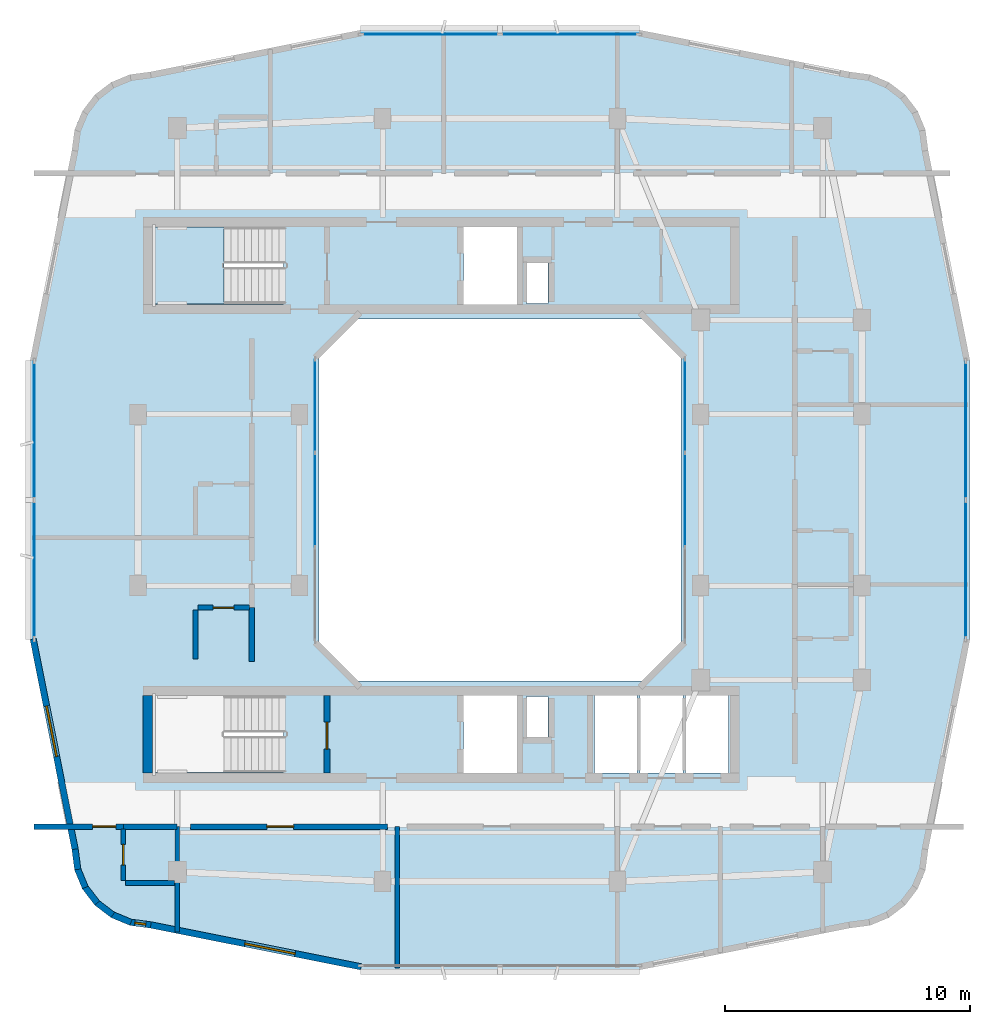
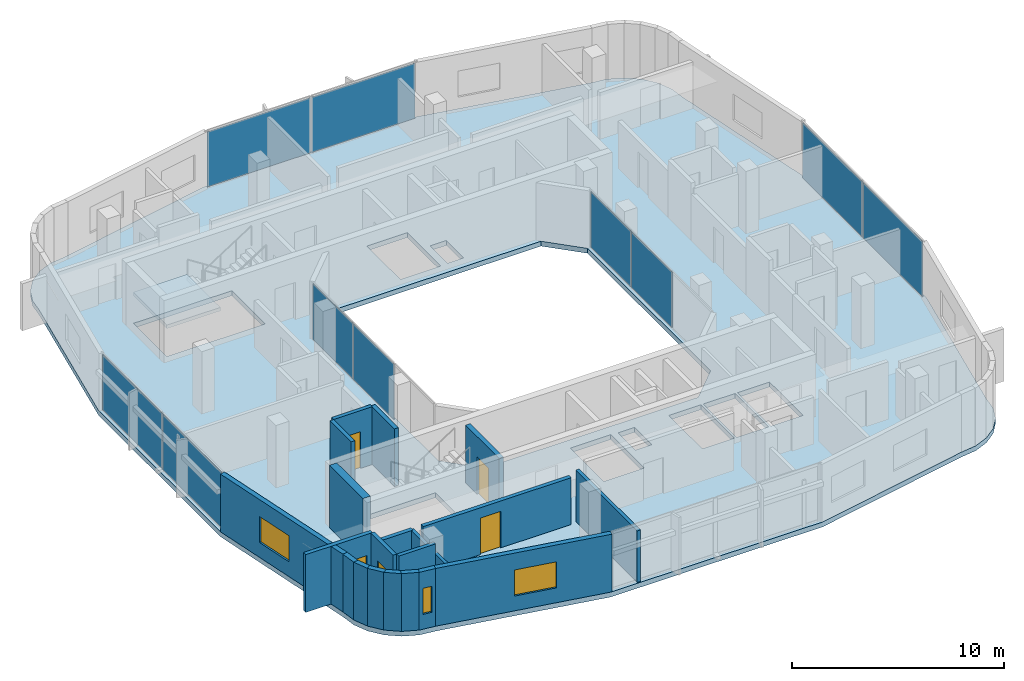
# One storey, part 6 of 14: 20 walls, 10 plates, 5 doors, 3 windows, 2 slabs, 8 openings, 6 elements without a shape of their own.
"""IFC4 building model written with IfcOpenShell, lengths in metres."""

from ifc_helpers import new_model, si_unit, derived_unit, direction, frame, frame_2d, origin, origin_2d, place, context, subcontext, project, spatial, polyline, rectangle, outline, extrude, material, layer, layer_set, type_object, element, fill, aggregate, save


model = new_model("IFC4")

# Units and contexts
model_context = context("Model", 3, precision=1e-05, world=origin(), true_north=direction((0.0, 1.0)))
body_context = subcontext(model_context, "Body", "Model", "MODEL_VIEW")
ifc_project = project(units=[si_unit("LENGTHUNIT", "METRE"), si_unit("AREAUNIT", "SQUARE_METRE"), si_unit("VOLUMEUNIT", "CUBIC_METRE"), si_unit("PLANEANGLEUNIT", "RADIAN"), si_unit("MASSUNIT", "GRAM", prefix="KILO"), derived_unit("THERMALTRANSMITTANCEUNIT", [(si_unit("POWERUNIT", "WATT"), 1), (si_unit("LENGTHUNIT", "METRE"), -2), (si_unit("THERMODYNAMICTEMPERATUREUNIT", "KELVIN"), -1)])], contexts=[model_context])

# Site, building, storey
site_placement = place(None, origin())
site = spatial("IfcSite", under=ifc_project, at=site_placement, CompositionType="ELEMENT")
building_placement = place(site_placement, origin())
building = spatial("IfcBuilding", under=site, at=building_placement, Name="Kivonza Crest Hotel", CompositionType="ELEMENT")
storey_placement = place(building_placement, frame((0.0, 0.0, 213.5)))
storey = spatial("IfcBuildingStorey", under=building, at=storey_placement, Name="L58", CompositionType="ELEMENT", Elevation=213.5)

# Curtain wall, plates
ifc_material_1 = material(Name="Anodised bronze aluminium and low-E double glazing", Category="aluminium")
ifc_layer_1 = layer(ifc_material_1, 0.159912109375)
ifc_layer_set_1 = layer_set([ifc_layer_1], Name="Anodised bronze aluminium and low-E double glazing")
curtain_wall_type_1 = type_object("IfcCurtainWallType", Name="CW-SYS-5", PredefinedType="NOTDEFINED", material=ifc_layer_set_1)
curtain_wall_1_placement = place(storey_placement, origin())
curtain_wall_1 = element("IfcCurtainWall", 1, at=curtain_wall_1_placement, inside=storey, type_object=curtain_wall_type_1, Name="L58 unitised curtain wall CW-WELL-T1-L58-3", PredefinedType="NOTDEFINED")
ifc_material_2 = material(Name="Solar-control low-E double glazing", Category="glass")
ifc_layer_2 = layer(ifc_material_2, 0.028076171875)
ifc_layer_set_2 = layer_set([ifc_layer_2], Name="Solar-control low-E double glazing")
plate_type_1 = type_object("IfcPlateType", Name="CW-PNL-28", PredefinedType="CURTAIN_PANEL", material=ifc_layer_set_2)
plate_1_placement = place(storey_placement, frame((28.56005859375, 25.0, 0.06494140625), z_axis=(0.0, 0.0, 1.0), x_axis=(0.0, 1.0, 0.0)))
plate_1 = element("IfcPlate", 2, at=plate_1_placement, type_object=plate_type_1, Name="CW-5 panel 2.1", PredefinedType="CURTAIN_PANEL", context=body_context, shape_type="SweptSolid", body=[
    extrude(rectangle(XDim=3.8017578125, YDim=0.028076171875, at=origin_2d()), origin(), (0.0, 0.0, 1.0), 3.18994140625),
])
plate_2_placement = place(storey_placement, frame((28.56005859375, 28.850341796875, 0.06494140625), z_axis=(0.0, 0.0, 1.0), x_axis=(0.0, 1.0, 0.0)))
plate_2 = element("IfcPlate", 3, at=plate_2_placement, type_object=plate_type_1, Name="CW-5 panel 3.1", PredefinedType="CURTAIN_PANEL", context=body_context, shape_type="SweptSolid", body=[
    extrude(rectangle(XDim=3.769287109375, YDim=0.028076171875, at=origin_2d()), origin(), (0.0, 0.0, 1.0), 3.18994140625),
])
aggregate(curtain_wall_1, [plate_1, plate_2])

curtain_wall_2_placement = place(storey_placement, origin())
curtain_wall_2 = element("IfcCurtainWall", 4, at=curtain_wall_2_placement, inside=storey, type_object=curtain_wall_type_1, Name="L58 unitised curtain wall CW-WELL-T1-L58-7", PredefinedType="NOTDEFINED")
plate_3_placement = place(storey_placement, frame((13.43994140625, 28.850341796875, 0.06494140625), z_axis=(0.0, 0.0, 1.0), x_axis=(0.0, -1.0, 0.0)))
plate_3 = element("IfcPlate", 5, at=plate_3_placement, type_object=plate_type_1, Name="CW-5 panel 1.1", PredefinedType="CURTAIN_PANEL", context=body_context, shape_type="SweptSolid", body=[
    extrude(rectangle(XDim=3.769287109375, YDim=0.028076171875, at=origin_2d()), origin(), (0.0, 0.0, 1.0), 3.18994140625),
])
plate_4_placement = place(storey_placement, frame((13.43994140625, 25.0, 0.06494140625), z_axis=(0.0, 0.0, 1.0), x_axis=(0.0, -1.0, 0.0)))
plate_4 = element("IfcPlate", 6, at=plate_4_placement, type_object=plate_type_1, Name="CW-5 panel 2.1", PredefinedType="CURTAIN_PANEL", context=body_context, shape_type="SweptSolid", body=[
    extrude(rectangle(XDim=3.8017578125, YDim=0.028076171875, at=origin_2d()), origin(), (0.0, 0.0, 1.0), 3.18994140625),
])
aggregate(curtain_wall_2, [plate_3, plate_4])

ifc_layer_3 = layer(ifc_material_1, 0.179931640625)
ifc_layer_set_3 = layer_set([ifc_layer_3], Name="Anodised bronze aluminium and low-E double glazing")
curtain_wall_type_2 = type_object("IfcCurtainWallType", Name="CW-SYS-3", PredefinedType="NOTDEFINED", material=ifc_layer_set_3)
curtain_wall_3_placement = place(storey_placement, origin())
curtain_wall_3 = element("IfcCurtainWall", 7, at=curtain_wall_3_placement, inside=storey, type_object=curtain_wall_type_2, Name="L58 unitised curtain wall CW-T1-L58-17", PredefinedType="NOTDEFINED")
ifc_material_3 = material(Name="Acoustic triple-laminated low-E glazing", Category="glass")
ifc_layer_4 = layer(ifc_material_3, 0.035888671875)
ifc_layer_set_4 = layer_set([ifc_layer_4], Name="Acoustic triple-laminated low-E glazing")
plate_type_2 = type_object("IfcPlateType", Name="CW-PNL-36", PredefinedType="CURTAIN_PANEL", material=ifc_layer_set_4)
plate_5_placement = place(storey_placement, frame((40.0400390625, 22.15869140625, 0.074951171875), z_axis=(0.0, 0.0, 1.0), x_axis=(0.0, 1.0, 0.0)))
plate_5 = element("IfcPlate", 8, at=plate_5_placement, type_object=plate_type_2, Name="CW-3 panel 1.1", PredefinedType="CURTAIN_PANEL", context=body_context, shape_type="SweptSolid", body=[
    extrude(rectangle(XDim=5.607421875, YDim=0.035888671875, at=origin_2d()), origin(), (0.0, 0.0, 1.0), 3.169921875),
])
plate_6_placement = place(storey_placement, frame((40.0400390625, 27.84130859375, 0.074951171875), z_axis=(0.0, 0.0, 1.0), x_axis=(0.0, 1.0, 0.0)))
plate_6 = element("IfcPlate", 9, at=plate_6_placement, type_object=plate_type_2, Name="CW-3 panel 2.1", PredefinedType="CURTAIN_PANEL", context=body_context, shape_type="SweptSolid", body=[
    extrude(rectangle(XDim=5.607421875, YDim=0.035888671875, at=origin_2d()), origin(), (0.0, 0.0, 1.0), 3.169921875),
])
aggregate(curtain_wall_3, [plate_5, plate_6])

curtain_wall_4_placement = place(storey_placement, origin())
curtain_wall_4 = element("IfcCurtainWall", 10, at=curtain_wall_4_placement, inside=storey, type_object=curtain_wall_type_2, Name="L58 unitised curtain wall CW-T1-L58-26", PredefinedType="NOTDEFINED")
plate_7_placement = place(storey_placement, frame((23.84130859375, 44.0400390625, 0.074951171875), z_axis=(0.0, 0.0, 1.0), x_axis=(-1.0, 0.0, 0.0)))
plate_7 = element("IfcPlate", 11, at=plate_7_placement, type_object=plate_type_2, Name="CW-3 panel 1.1", PredefinedType="CURTAIN_PANEL", context=body_context, shape_type="SweptSolid", body=[
    extrude(rectangle(XDim=5.607421875, YDim=0.035888671875, at=origin_2d()), origin(), (0.0, 0.0, 1.0), 3.169921875),
])
plate_8_placement = place(storey_placement, frame((18.15869140625, 44.0400390625, 0.074951171875), z_axis=(0.0, 0.0, 1.0), x_axis=(-1.0, 0.0, 0.0)))
plate_8 = element("IfcPlate", 12, at=plate_8_placement, type_object=plate_type_2, Name="CW-3 panel 2.1", PredefinedType="CURTAIN_PANEL", context=body_context, shape_type="SweptSolid", body=[
    extrude(rectangle(XDim=5.607421875, YDim=0.035888671875, at=origin_2d()), origin(), (0.0, 0.0, 1.0), 3.169921875),
])
aggregate(curtain_wall_4, [plate_7, plate_8])

curtain_wall_5_placement = place(storey_placement, origin())
curtain_wall_5 = element("IfcCurtainWall", 13, at=curtain_wall_5_placement, inside=storey, type_object=curtain_wall_type_2, Name="L58 unitised curtain wall CW-T1-L58-35", PredefinedType="NOTDEFINED")
plate_9_placement = place(storey_placement, frame((1.9599609375, 27.84130859375, 0.074951171875), z_axis=(0.0, 0.0, 1.0), x_axis=(0.0, -1.0, 0.0)))
plate_9 = element("IfcPlate", 14, at=plate_9_placement, type_object=plate_type_2, Name="CW-3 panel 1.1", PredefinedType="CURTAIN_PANEL", context=body_context, shape_type="SweptSolid", body=[
    extrude(rectangle(XDim=5.607421875, YDim=0.035888671875, at=origin_2d()), origin(), (0.0, 0.0, 1.0), 3.169921875),
])
plate_10_placement = place(storey_placement, frame((1.9599609375, 22.15869140625, 0.074951171875), z_axis=(0.0, 0.0, 1.0), x_axis=(0.0, -1.0, 0.0)))
plate_10 = element("IfcPlate", 15, at=plate_10_placement, type_object=plate_type_2, Name="CW-3 panel 2.1", PredefinedType="CURTAIN_PANEL", context=body_context, shape_type="SweptSolid", body=[
    extrude(rectangle(XDim=5.607421875, YDim=0.035888671875, at=origin_2d()), origin(), (0.0, 0.0, 1.0), 3.169921875),
])
aggregate(curtain_wall_5, [plate_9, plate_10])

# Slab
ifc_material_4 = material(Name="Concrete C40/50", Category="concrete")
ifc_layer_5 = layer(ifc_material_4, 0.280029296875)
ifc_layer_set_5 = layer_set([ifc_layer_5], Name="Concrete C40/50")
slab_type_1 = type_object("IfcSlabType", Name="SL-HTL-280", PredefinedType="FLOOR", material=ifc_layer_set_5)
slab_1_placement = place(storey_placement, frame((0.0, 0.0, -0.280029296875)))
element("IfcSlab", 16, at=slab_1_placement, inside=storey, type_object=slab_type_1, Name="Tower T1 L58 floor slab", PredefinedType="FLOOR", context=body_context, shape_type="SweptSolid", body=[
    extrude(outline(polyline([(3.5, 10.699951171875), (3.60888671875, 9.8720703125), (3.928955078125, 9.10009765625), (4.43701171875, 8.43701171875), (5.10009765625, 7.928955078125), (5.8720703125, 7.60888671875), (6.699951171875, 7.5), (15.239990234375, 5.800048828125), (26.760009765625, 5.800048828125), (35.300048828125, 7.5), (36.1279296875, 7.60888671875), (36.89990234375, 7.928955078125), (37.56298828125, 8.43701171875), (38.071044921875, 9.10009765625), (38.39111328125, 9.8720703125), (38.5, 10.699951171875), (40.199951171875, 19.239990234375), (40.199951171875, 30.760009765625), (38.5, 39.300048828125), (38.39111328125, 40.1279296875), (38.071044921875, 40.89990234375), (37.56298828125, 41.56298828125), (36.89990234375, 42.071044921875), (36.1279296875, 42.39111328125), (35.300048828125, 42.5), (26.760009765625, 44.199951171875), (15.239990234375, 44.199951171875), (6.699951171875, 42.5), (5.8720703125, 42.39111328125), (5.10009765625, 42.071044921875), (4.43701171875, 41.56298828125), (3.928955078125, 40.89990234375), (3.60888671875, 40.1279296875), (3.5, 39.300048828125), (1.800048828125, 30.760009765625), (1.800048828125, 19.239990234375), (3.5, 10.699951171875)]), holes=[polyline([(15.199951171875, 17.60009765625), (26.800048828125, 17.60009765625), (28.39990234375, 19.199951171875), (28.39990234375, 30.800048828125), (26.800048828125, 32.39990234375), (15.199951171875, 32.39990234375), (13.60009765625, 30.800048828125), (13.60009765625, 19.199951171875), (15.199951171875, 17.60009765625)]), polyline([(6.800048828125, 33.02001953125), (12.159912109375, 33.02001953125), (12.159912109375, 36.159912109375), (6.800048828125, 36.159912109375), (6.800048828125, 33.02001953125)]), polyline([(6.800048828125, 13.860107421875), (12.159912109375, 13.860107421875), (12.159912109375, 17.0), (6.800048828125, 17.0), (6.800048828125, 13.860107421875)]), polyline([(22.080078125, 33.0400390625), (22.969970703125, 33.0400390625), (22.969970703125, 34.679931640625), (22.080078125, 34.679931640625), (22.080078125, 33.0400390625)]), polyline([(22.080078125, 15.320068359375), (22.969970703125, 15.320068359375), (22.969970703125, 16.9599609375), (22.080078125, 16.9599609375), (22.080078125, 15.320068359375)]), polyline([(19.5, 33.0), (21.699951171875, 33.0), (21.699951171875, 36.159912109375), (19.5, 36.159912109375), (19.5, 33.0)]), polyline([(19.5, 13.840087890625), (21.699951171875, 13.840087890625), (21.699951171875, 17.0), (19.5, 17.0), (19.5, 13.840087890625)]), polyline([(24.860107421875, 13.840087890625), (26.60693359375, 13.840087890625), (26.60693359375, 17.0), (24.860107421875, 17.0), (24.860107421875, 13.840087890625)]), polyline([(26.72705078125, 13.840087890625), (28.472900390625, 13.840087890625), (28.472900390625, 17.0), (26.72705078125, 17.0), (26.72705078125, 13.840087890625)]), polyline([(28.593017578125, 13.840087890625), (30.340087890625, 13.840087890625), (30.340087890625, 17.0), (28.593017578125, 17.0), (28.593017578125, 13.840087890625)])]), origin(), (0.0, 0.0, 1.0), 0.280029296875),
])

# Stair, slab
stair_type = type_object("IfcStairType", Name="ST-DL-20R", PredefinedType="HALF_TURN_STAIR", material=ifc_material_4)
stair_placement = place(storey_placement, origin())
stair = element("IfcStair", 17, at=stair_placement, inside=storey, type_object=stair_type, Name="L58 Protected Exit Stair ST-T1-N", PredefinedType="HALF_TURN_STAIR")
ifc_layer_6 = layer(ifc_material_4, 0.199951171875)
ifc_layer_set_6 = layer_set([ifc_layer_6], Name="Concrete C40/50")
slab_type_2 = type_object("IfcSlabType", Name="SL-LAND-200", PredefinedType="LANDING", material=ifc_layer_set_6)
slab_2_placement = place(storey_placement, frame((0.0, 0.0, 1.60009765625)))
slab_2 = element("IfcSlab", 18, at=slab_2_placement, type_object=slab_type_2, Name="ST-T1-N landing 1", PredefinedType="LANDING", context=body_context, shape_type="SweptSolid", body=[
    extrude(outline(polyline([(9.719970703125, 36.159912109375), (6.800048828125, 36.159912109375), (6.800048828125, 33.02001953125), (9.719970703125, 33.02001953125), (9.719970703125, 36.159912109375)])), origin(), (0.0, 0.0, 1.0), 0.199951171875),
])
aggregate(stair, [slab_2])

# Walls
ifc_material_5 = material(Name="High-density acoustic masonry inter-tenancy wall", Category="masonry")
ifc_layer_7 = layer(ifc_material_5, 0.179931640625)
ifc_layer_set_7 = layer_set([ifc_layer_7], Name="High-density acoustic masonry inter-tenancy wall")
wall_type_1 = type_object("IfcWallType", Name="WL-ACOU-180", PredefinedType="SOLIDWALL", material=ifc_layer_set_7)
wall_1_placement = place(storey_placement, frame((7.800048828125, 7.342041015625, 0.0), z_axis=(0.0, 0.0, 1.0), x_axis=(0.0, 1.0, 0.0)))
element("IfcWall", 19, at=wall_1_placement, inside=storey, type_object=wall_type_1, Name="L58 interior partition WA-L58-T1S-DIV1", PredefinedType="SOLIDWALL", context=body_context, shape_type="SweptSolid", body=[
    extrude(rectangle(XDim=4.307861328125, YDim=0.179931640625, at=frame_2d((2.15380859375, 0.0))), origin(), (0.0, 0.0, 1.0), 2.695068359375),
])
wall_2_placement = place(storey_placement, frame((16.800048828125, 5.860107421875, 0.0), z_axis=(0.0, 0.0, 1.0), x_axis=(0.0, 1.0, 0.0)))
element("IfcWall", 20, at=wall_2_placement, inside=storey, type_object=wall_type_1, Name="L58 interior partition WA-L58-T1S-SPDIV1", PredefinedType="SOLIDWALL", context=body_context, shape_type="SweptSolid", body=[
    extrude(rectangle(XDim=5.789794921875, YDim=0.179931640625, at=frame_2d((2.89501953125, 0.0))), origin(), (0.0, 0.0, 1.0), 2.965087890625),
])
ifc_material_6 = material(Name="Autoclaved aerated concrete blockwork", Category="masonry")
ifc_layer_8 = layer(ifc_material_6, 0.219970703125)
ifc_layer_set_8 = layer_set([ifc_layer_8], Name="Autoclaved aerated concrete blockwork")
wall_type_2 = type_object("IfcWallType", Name="WL-ACOU-220", PredefinedType="SOLIDWALL", material=ifc_layer_set_8)
wall_3_placement = place(storey_placement, frame((5.60009765625, 11.64990234375, 0.0), z_axis=(0.0, 0.0, 1.0), x_axis=(1.0, 0.0, 0.0)))
element("IfcWall", 21, at=wall_3_placement, inside=storey, type_object=wall_type_2, Name="L58 interior partition WA-L58-S02-BCORR", PredefinedType="SOLIDWALL", context=body_context, shape_type="SweptSolid", body=[
    extrude(rectangle(XDim=2.199951171875, YDim=0.219970703125, at=frame_2d((1.10009765625, 0.0))), origin(), (0.0, 0.0, 1.0), 2.695068359375),
])

# Wall, opening, door
wall_4_placement = place(storey_placement, frame((1.9599609375, 11.64990234375, 0.0), z_axis=(0.0, 0.0, 1.0), x_axis=(1.0, 0.0, 0.0)))
wall_4 = element("IfcWall", 22, at=wall_4_placement, inside=storey, type_object=wall_type_2, Name="L58 interior partition WA-L58-S02-MCORR", PredefinedType="SOLIDWALL", context=body_context, shape_type="SweptSolid", body=[
    extrude(rectangle(XDim=3.64013671875, YDim=0.219970703125, at=frame_2d((1.820068359375, 0.0))), origin(), (0.0, 0.0, 1.0), 3.320068359375),
])
opening_1_placement = place(wall_4_placement, frame((2.389892578125, 0.0, 0.0)))
opening_1 = element("IfcOpeningElement", 23, at=opening_1_placement, cuts=wall_4, Name="Opening DU-60", PredefinedType="OPENING", context=body_context, shape_type="SweptSolid", body=[
    extrude(rectangle(XDim=0.949951171875, YDim=2.10009765625, at=frame_2d((0.47509765625, 1.050048828125))), frame((0.0, 0.1201171875, 0.0), z_axis=(0.0, -1.0, 0.0), x_axis=(1.0, 0.0, 0.0)), (0.0, 0.0, 1.0), 0.239990234375),
])
ifc_material_7 = material(Name="Hardwood timber oak", Category="wood")
door_type_1 = type_object("IfcDoorType", Name="DR-UNIT-950", OperationType="NOTDEFINED", PredefinedType="DOOR", material=ifc_material_7)
door_1_placement = place(opening_1_placement, frame((0.949951171875, 0.0, 0.0), z_axis=(0.0, 0.0, 1.0), x_axis=(-1.0, 0.0, 0.0)))
door_1 = element("IfcDoor", 24, at=door_1_placement, inside=storey, type_object=door_type_1, Name="L58 S02 guest unit entrance fire door", OperationType="SINGLE_SWING_RIGHT", OverallHeight=2.10009765625, OverallWidth=0.949951171875, PredefinedType="DOOR", context=body_context, shape_type="SweptSolid", body=[
    extrude(rectangle(XDim=0.949951171875, YDim=2.10009765625, at=frame_2d((0.47509765625, 1.050048828125))), frame((0.0, 0.02490234375, 0.0), z_axis=(0.0, -1.0, 0.0), x_axis=(1.0, 0.0, 0.0)), (0.0, 0.0, 1.0), 0.050048828125),
])
fill(opening_1, door_1)

wall_5_placement = place(storey_placement, frame((8.35009765625, 11.64990234375, 0.0), z_axis=(0.0, 0.0, 1.0), x_axis=(1.0, 0.0, 0.0)))
wall_5 = element("IfcWall", 25, at=wall_5_placement, inside=storey, type_object=wall_type_2, Name="L58 interior partition WA-L58-Z4-SKIT1A-N", PredefinedType="SOLIDWALL", context=body_context, shape_type="SweptSolid", body=[
    extrude(rectangle(XDim=8.0498046875, YDim=0.219970703125, at=frame_2d((4.02490234375, 0.0))), origin(), (0.0, 0.0, 1.0), 2.695068359375),
])
opening_2_placement = place(wall_5_placement, frame((3.117919921875, 0.0, 0.0)))
opening_2 = element("IfcOpeningElement", 26, at=opening_2_placement, cuts=wall_5, Name="Opening DF-60M", PredefinedType="OPENING", context=body_context, shape_type="SweptSolid", body=[
    extrude(rectangle(XDim=1.10009765625, YDim=2.10009765625, at=frame_2d((0.550048828125, 1.050048828125))), frame((0.0, 0.1201171875, 0.0), z_axis=(0.0, -1.0, 0.0), x_axis=(1.0, 0.0, 0.0)), (0.0, 0.0, 1.0), 0.239990234375),
])
door_type_2 = type_object("IfcDoorType", Name="DR-FD60-1100", OperationType="NOTDEFINED", PredefinedType="DOOR", material=ifc_material_7)
door_2_placement = place(opening_2_placement, frame((1.10009765625, 0.0, 0.0), z_axis=(0.0, 0.0, 1.0), x_axis=(-1.0, 0.0, 0.0)))
door_2 = element("IfcDoor", 27, at=door_2_placement, inside=storey, type_object=door_type_2, Name="L58 Upper Zone Chef Demonstration Kitchen door", OperationType="SINGLE_SWING_RIGHT", OverallHeight=2.10009765625, OverallWidth=1.10009765625, PredefinedType="DOOR", context=body_context, shape_type="SweptSolid", body=[
    extrude(rectangle(XDim=1.10009765625, YDim=2.10009765625, at=frame_2d((0.550048828125, 1.050048828125))), frame((0.0, 0.02490234375, 0.0), z_axis=(0.0, -1.0, 0.0), x_axis=(1.0, 0.0, 0.0)), (0.0, 0.0, 1.0), 0.050048828125),
])
fill(opening_2, door_2)

# Walls
wall_6_placement = place(storey_placement, frame((10.85009765625, 18.39990234375, 0.0), z_axis=(0.0, 0.0, 1.0), x_axis=(0.0, 1.0, 0.0)))
element("IfcWall", 28, at=wall_6_placement, inside=storey, type_object=wall_type_2, Name="L58 interior partition WA-L58-W03-BCORR", PredefinedType="SOLIDWALL", context=body_context, shape_type="SweptSolid", body=[
    extrude(rectangle(XDim=2.2001953125, YDim=0.219970703125, at=frame_2d((1.10009765625, 0.0))), origin(), (0.0, 0.0, 1.0), 3.320068359375),
])
ifc_material_8 = material(Name="Concrete C50/60", Category="concrete")
ifc_layer_9 = layer(ifc_material_8, 0.39990234375)
ifc_layer_set_9 = layer_set([ifc_layer_9], Name="Concrete C50/60")
wall_type_3 = type_object("IfcWallType", Name="WL-CORE-400", PredefinedType="SHEAR", material=ifc_layer_set_9)
wall_7_placement = place(storey_placement, frame((6.60009765625, 13.840087890625, 0.0), z_axis=(0.0, 0.0, 1.0), x_axis=(0.0, 1.0, 0.0)))
element("IfcWall", 29, at=wall_7_placement, inside=storey, type_object=wall_type_3, Name="Core wall T1-S West L58", PredefinedType="SHEAR", context=body_context, shape_type="SweptSolid", body=[
    extrude(rectangle(XDim=3.159912109375, YDim=0.39990234375, at=frame_2d((1.580078125, 0.0))), origin(), (0.0, 0.0, 1.0), 3.60009765625),
])
ifc_material_9 = material(Name="Precast concrete C40/50", Category="concrete")
ifc_layer_10 = layer(ifc_material_9, 0.260009765625)
ifc_layer_set_10 = layer_set([ifc_layer_10], Name="Precast concrete C40/50")
wall_type_4 = type_object("IfcWallType", Name="WL-EXT-260", PredefinedType="STANDARD", material=ifc_layer_set_10)
wall_8_placement = place(storey_placement, frame((3.6279296875, 10.72509765625, 0.0), z_axis=(0.0, 0.0, 1.0), x_axis=(0.130954667764, -0.9913883573, 0.0)))
element("IfcWall", 30, at=wall_8_placement, inside=storey, type_object=wall_type_4, Name="L58 T1 exterior insulated wall 1", PredefinedType="STANDARD", context=body_context, shape_type="SweptSolid", body=[
    extrude(rectangle(XDim=0.833251953125, YDim=0.260009765625, at=frame_2d((0.41650390625, 0.0))), origin(), (0.0, 0.0, 1.0), 3.320068359375),
])
wall_9_placement = place(storey_placement, frame((3.718994140625, 9.945068359375, 0.0), z_axis=(0.0, 0.0, 1.0), x_axis=(0.382985169477, -0.923754491172, 0.0)))
element("IfcWall", 31, at=wall_9_placement, inside=storey, type_object=wall_type_4, Name="L58 T1 exterior insulated wall 2", PredefinedType="STANDARD", context=body_context, shape_type="SweptSolid", body=[
    extrude(rectangle(XDim=0.85107421875, YDim=0.260009765625, at=frame_2d((0.425537109375, 0.0))), origin(), (0.0, 0.0, 1.0), 3.320068359375),
])
for number, where, z_axis, x_axis, name in (
    (32, (4.01708984375, 9.198974609375, 0.0), (0.0, 0.0, 1.0), (0.607918988881, -0.793999057278, 0.0), "L58 T1 exterior insulated wall 3"),
    (33, (4.49609375, 8.554931640625, 0.0), (0.0, 0.0, 1.0), (0.793892896323, -0.608057619941, 0.0), "L58 T1 exterior insulated wall 4"),
):
    element("IfcWall", number, at=place(storey_placement, frame(where, z_axis=z_axis, x_axis=x_axis)), inside=storey, type_object=wall_type_4, Name=name, PredefinedType="STANDARD", context=body_context, shape_type="SweptSolid", body=[
        extrude(rectangle(XDim=0.85009765625, YDim=0.260009765625, at=frame_2d((0.425048828125, 0.0))), origin(), (0.0, 0.0, 1.0), 3.320068359375),
    ])
wall_10_placement = place(storey_placement, frame((5.126953125, 8.05908203125, 0.0), z_axis=(0.0, 0.0, 1.0), x_axis=(0.923652976167, -0.383229930484, 0.0)))
element("IfcWall", 34, at=wall_10_placement, inside=storey, type_object=wall_type_4, Name="L58 T1 exterior insulated wall 5", PredefinedType="STANDARD", context=body_context, shape_type="SweptSolid", body=[
    extrude(rectangle(XDim=0.85107421875, YDim=0.260009765625, at=frame_2d((0.425537109375, 0.0))), origin(), (0.0, 0.0, 1.0), 3.320068359375),
])

# Wall, opening, window
wall_11_placement = place(storey_placement, frame((5.864013671875, 7.740966796875, 0.0), z_axis=(0.0, 0.0, 1.0), x_axis=(0.991493480548, -0.130156359936, 0.0)))
wall_11 = element("IfcWall", 35, at=wall_11_placement, inside=storey, type_object=wall_type_4, Name="L58 T1 exterior insulated wall 6", PredefinedType="STANDARD", context=body_context, shape_type="SweptSolid", body=[
    extrude(rectangle(XDim=0.868408203125, YDim=0.260009765625, at=frame_2d((0.43408203125, 0.0))), origin(), (0.0, 0.0, 1.0), 3.320068359375),
])
opening_3_placement = place(wall_11_placement, frame((0.208984375, 0.0, 0.85009765625)))
opening_3 = element("IfcOpeningElement", 36, at=opening_3_placement, cuts=wall_11, Name="Opening WN-11", PredefinedType="OPENING", context=body_context, shape_type="SweptSolid", body=[
    extrude(rectangle(XDim=0.449951171875, YDim=1.5, at=frame_2d((0.22509765625, 0.75))), frame((0.0, 0.14013671875, 0.0), z_axis=(0.0, -1.0, 0.0), x_axis=(1.0, 0.0, 0.0)), (0.0, 0.0, 1.0), 0.280029296875),
])
ifc_material_10 = material(Name="Thermally broken bronze aluminium and low-E double glazing", Category="aluminium")
window_type_1 = type_object("IfcWindowType", Name="WN-045x150", PartitioningType="SINGLE_PANEL", PredefinedType="WINDOW", material=ifc_material_10)
window_1_placement = place(opening_3_placement, origin())
window_1 = element("IfcWindow", 37, at=window_1_placement, inside=storey, type_object=window_type_1, Name="L58 corner vision window 1", OverallHeight=1.5, OverallWidth=0.449951171875, PartitioningType="SINGLE_PANEL", PredefinedType="WINDOW", context=body_context, shape_type="SweptSolid", body=[
    extrude(rectangle(XDim=0.449951171875, YDim=1.5, at=frame_2d((0.22509765625, 0.75))), frame((0.0, 0.030029296875, 0.0), z_axis=(0.0, -1.0, 0.0), x_axis=(1.0, 0.0, 0.0)), (0.0, 0.0, 1.0), 0.06005859375),
])
fill(opening_3, window_1)

wall_12_placement = place(storey_placement, frame((6.717041015625, 7.62890625, 0.0), z_axis=(0.0, 0.0, 1.0), x_axis=(0.980745199176, -0.195291715883, 0.0)))
wall_12 = element("IfcWall", 38, at=wall_12_placement, inside=storey, type_object=wall_type_4, Name="L58 T1 exterior insulated wall 7", PredefinedType="STANDARD", context=body_context, shape_type="SweptSolid", body=[
    extrude(rectangle(XDim=8.77099609375, YDim=0.260009765625, at=frame_2d((4.385498046875, 0.0))), origin(), (0.0, 0.0, 1.0), 3.320068359375),
])
opening_4_placement = place(wall_12_placement, frame((3.925048828125, 0.0, 0.85009765625)))
opening_4 = element("IfcOpeningElement", 39, at=opening_4_placement, cuts=wall_12, Name="Opening WN-04", PredefinedType="OPENING", context=body_context, shape_type="SweptSolid", body=[
    extrude(rectangle(XDim=2.10009765625, YDim=1.5, at=frame_2d((1.050048828125, 0.75))), frame((0.0, 0.14013671875, 0.0), z_axis=(0.0, -1.0, 0.0), x_axis=(1.0, 0.0, 0.0)), (0.0, 0.0, 1.0), 0.280029296875),
])
window_type_2 = type_object("IfcWindowType", Name="WN-210x150", PartitioningType="DOUBLE_PANEL_VERTICAL", PredefinedType="WINDOW", material=ifc_material_10)
window_2_placement = place(opening_4_placement, origin())
window_2 = element("IfcWindow", 40, at=window_2_placement, inside=storey, type_object=window_type_2, Name="L58 T1 facade window 7", OverallHeight=1.5, OverallWidth=2.10009765625, PartitioningType="SINGLE_PANEL", PredefinedType="WINDOW", context=body_context, shape_type="SweptSolid", body=[
    extrude(rectangle(XDim=2.10009765625, YDim=1.5, at=frame_2d((1.050048828125, 0.75))), frame((0.0, 0.030029296875, 0.0), z_axis=(0.0, -1.0, 0.0), x_axis=(1.0, 0.0, 0.0)), (0.0, 0.0, 1.0), 0.06005859375),
])
fill(opening_4, window_2)

wall_13_placement = place(storey_placement, frame((1.916015625, 19.319091796875, 0.0), z_axis=(0.0, 0.0, 1.0), x_axis=(0.195291715883, -0.980745199176, 0.0)))
wall_13 = element("IfcWall", 41, at=wall_13_placement, inside=storey, type_object=wall_type_4, Name="L58 T1 exterior insulated wall 36", PredefinedType="STANDARD", context=body_context, shape_type="SweptSolid", body=[
    extrude(rectangle(XDim=8.77099609375, YDim=0.260009765625, at=frame_2d((4.385498046875, 0.0))), origin(), (0.0, 0.0, 1.0), 3.320068359375),
])
opening_5_placement = place(wall_13_placement, frame((2.798095703125, 0.0, 0.85009765625)))
opening_5 = element("IfcOpeningElement", 42, at=opening_5_placement, cuts=wall_13, Name="Opening WN-04", PredefinedType="OPENING", context=body_context, shape_type="SweptSolid", body=[
    extrude(rectangle(XDim=2.10009765625, YDim=1.5, at=frame_2d((1.050048828125, 0.75))), frame((0.0, 0.14013671875, 0.0), z_axis=(0.0, -1.0, 0.0), x_axis=(1.0, 0.0, 0.0)), (0.0, 0.0, 1.0), 0.280029296875),
])
window_3_placement = place(opening_5_placement, origin())
window_3 = element("IfcWindow", 43, at=window_3_placement, inside=storey, type_object=window_type_2, Name="L58 T1 facade window 36", OverallHeight=1.5, OverallWidth=2.10009765625, PartitioningType="SINGLE_PANEL", PredefinedType="WINDOW", context=body_context, shape_type="SweptSolid", body=[
    extrude(rectangle(XDim=2.10009765625, YDim=1.5, at=frame_2d((1.050048828125, 0.75))), frame((0.0, 0.030029296875, 0.0), z_axis=(0.0, -1.0, 0.0), x_axis=(1.0, 0.0, 0.0)), (0.0, 0.0, 1.0), 0.06005859375),
])
fill(opening_5, window_3)

# Wall, opening, door
ifc_material_11 = material(Name="Moisture-resistant plumbing chase partition wall", Category="gypsum")
ifc_layer_11 = layer(ifc_material_11, 0.199951171875)
ifc_layer_set_11 = layer_set([ifc_layer_11], Name="Moisture-resistant plumbing chase partition wall")
wall_type_5 = type_object("IfcWallType", Name="WL-PLUMB-200", PredefinedType="PLUMBINGWALL", material=ifc_layer_set_11)
wall_14_placement = place(storey_placement, frame((5.60009765625, 9.449951171875, 0.0), z_axis=(0.0, 0.0, 1.0), x_axis=(0.0, 1.0, 0.0)))
wall_14 = element("IfcWall", 44, at=wall_14_placement, inside=storey, type_object=wall_type_5, Name="L58 interior partition WW-L58-S02-BV", PredefinedType="PLUMBINGWALL", context=body_context, shape_type="SweptSolid", body=[
    extrude(rectangle(XDim=2.10009765625, YDim=0.199951171875, at=frame_2d((1.050048828125, 0.0))), origin(), (0.0, 0.0, 1.0), 3.320068359375),
])
opening_6_placement = place(wall_14_placement, frame((0.625, 0.0, 0.0)))
opening_6 = element("IfcOpeningElement", 45, at=opening_6_placement, cuts=wall_14, Name="Opening DI-85", PredefinedType="OPENING", context=body_context, shape_type="SweptSolid", body=[
    extrude(rectangle(XDim=0.85009765625, YDim=2.10009765625, at=frame_2d((0.425048828125, 1.050048828125))), frame((0.0, 0.10986328125, 0.0), z_axis=(0.0, -1.0, 0.0), x_axis=(1.0, 0.0, 0.0)), (0.0, 0.0, 1.0), 0.219970703125),
])
door_type_3 = type_object("IfcDoorType", Name="DR-INT-850", OperationType="NOTDEFINED", PredefinedType="DOOR", material=ifc_material_7)
door_3_placement = place(opening_6_placement, origin())
door_3 = element("IfcDoor", 46, at=door_3_placement, inside=storey, type_object=door_type_3, Name="L58 S02 en-suite bathroom door", OperationType="SINGLE_SWING_LEFT", OverallHeight=2.10009765625, OverallWidth=0.85009765625, PredefinedType="DOOR", context=body_context, shape_type="SweptSolid", body=[
    extrude(rectangle(XDim=0.85009765625, YDim=2.10009765625, at=frame_2d((0.425048828125, 1.050048828125))), frame((0.0, 0.02490234375, 0.0), z_axis=(0.0, -1.0, 0.0), x_axis=(1.0, 0.0, 0.0)), (0.0, 0.0, 1.0), 0.050048828125),
])
fill(opening_6, door_3)

# Wall
wall_15_placement = place(storey_placement, frame((5.699951171875, 9.35009765625, 0.0), z_axis=(0.0, 0.0, 1.0), x_axis=(1.0, 0.0, 0.0)))
element("IfcWall", 47, at=wall_15_placement, inside=storey, type_object=wall_type_5, Name="L58 interior partition WW-L58-S02-BH", PredefinedType="PLUMBINGWALL", context=body_context, shape_type="SweptSolid", body=[
    extrude(rectangle(XDim=2.0, YDim=0.199951171875, at=frame_2d((1.0, 0.0))), origin(), (0.0, 0.0, 1.0), 3.320068359375),
])

# Wall, opening, door
wall_16_placement = place(storey_placement, frame((8.64990234375, 20.60009765625, 0.0), z_axis=(0.0, 0.0, 1.0), x_axis=(1.0, 0.0, 0.0)))
wall_16 = element("IfcWall", 48, at=wall_16_placement, inside=storey, type_object=wall_type_5, Name="L58 interior partition WW-L58-W03-BH", PredefinedType="PLUMBINGWALL", context=body_context, shape_type="SweptSolid", body=[
    extrude(rectangle(XDim=2.10009765625, YDim=0.199951171875, at=frame_2d((1.050048828125, 0.0))), origin(), (0.0, 0.0, 1.0), 3.320068359375),
])
opening_7_placement = place(wall_16_placement, frame((0.625, 0.0, 0.0)))
opening_7 = element("IfcOpeningElement", 49, at=opening_7_placement, cuts=wall_16, Name="Opening DI-85", PredefinedType="OPENING", context=body_context, shape_type="SweptSolid", body=[
    extrude(rectangle(XDim=0.85009765625, YDim=2.10009765625, at=frame_2d((0.425048828125, 1.050048828125))), frame((0.0, 0.10986328125, 0.0), z_axis=(0.0, -1.0, 0.0), x_axis=(1.0, 0.0, 0.0)), (0.0, 0.0, 1.0), 0.219970703125),
])
door_4_placement = place(opening_7_placement, origin())
door_4 = element("IfcDoor", 50, at=door_4_placement, inside=storey, type_object=door_type_3, Name="L58 W03 en-suite bathroom door", OperationType="SINGLE_SWING_RIGHT", OverallHeight=2.10009765625, OverallWidth=0.85009765625, PredefinedType="DOOR", context=body_context, shape_type="SweptSolid", body=[
    extrude(rectangle(XDim=0.85009765625, YDim=2.10009765625, at=frame_2d((0.425048828125, 1.050048828125))), frame((0.0, 0.02490234375, 0.0), z_axis=(0.0, -1.0, 0.0), x_axis=(1.0, 0.0, 0.0)), (0.0, 0.0, 1.0), 0.050048828125),
])
fill(opening_7, door_4)

# Wall
wall_17_placement = place(storey_placement, frame((8.550048828125, 18.5, 0.0), z_axis=(0.0, 0.0, 1.0), x_axis=(0.0, 1.0, 0.0)))
element("IfcWall", 51, at=wall_17_placement, inside=storey, type_object=wall_type_5, Name="L58 interior partition WW-L58-W03-BV", PredefinedType="PLUMBINGWALL", context=body_context, shape_type="SweptSolid", body=[
    extrude(rectangle(XDim=2.0, YDim=0.199951171875, at=frame_2d((1.0, 0.0))), origin(), (0.0, 0.0, 1.0), 3.320068359375),
])

# Wall, opening, door
ifc_layer_12 = layer(ifc_material_8, 0.25)
ifc_layer_set_12 = layer_set([ifc_layer_12], Name="Concrete C50/60")
wall_type_6 = type_object("IfcWallType", Name="WL-SHAFT-250", PredefinedType="STANDARD", material=ifc_layer_set_12)
wall_18_placement = place(storey_placement, frame((13.925048828125, 13.840087890625, 0.0), z_axis=(0.0, 0.0, 1.0), x_axis=(0.0, 1.0, 0.0)))
wall_18 = element("IfcWall", 52, at=wall_18_placement, inside=storey, type_object=wall_type_6, Name="Core shaft wall T1-S STAIR L58", PredefinedType="STANDARD", context=body_context, shape_type="SweptSolid", body=[
    extrude(rectangle(XDim=3.159912109375, YDim=0.25, at=frame_2d((1.580078125, 0.0))), origin(), (0.0, 0.0, 1.0), 3.320068359375),
])
opening_8_placement = place(wall_18_placement, frame((0.97998046875, 0.0, 0.0)))
opening_8 = element("IfcOpeningElement", 53, at=opening_8_placement, cuts=wall_18, Name="Opening DF-120", PredefinedType="OPENING", context=body_context, shape_type="SweptSolid", body=[
    extrude(rectangle(XDim=1.10009765625, YDim=2.14990234375, at=frame_2d((0.550048828125, 1.074951171875))), frame((0.0, 0.135009765625, 0.0), z_axis=(0.0, -1.0, 0.0), x_axis=(1.0, 0.0, 0.0)), (0.0, 0.0, 1.0), 0.27001953125),
])
ifc_material_12 = material(Name="Galvanised steel", Category="steel")
door_type_4 = type_object("IfcDoorType", Name="DR-FD120-1100", OperationType="NOTDEFINED", PredefinedType="DOOR", material=ifc_material_12)
door_5_placement = place(opening_8_placement, frame((1.10009765625, 0.0, 0.0), z_axis=(0.0, 0.0, 1.0), x_axis=(-1.0, 0.0, 0.0)))
door_5 = element("IfcDoor", 54, at=door_5_placement, inside=storey, type_object=door_type_4, Name="L58 T1-S stair fire door", OperationType="SINGLE_SWING_RIGHT", OverallHeight=2.14990234375, OverallWidth=1.10009765625, PredefinedType="DOOR", context=body_context, shape_type="SweptSolid", body=[
    extrude(rectangle(XDim=1.10009765625, YDim=2.14990234375, at=frame_2d((0.550048828125, 1.074951171875))), frame((0.0, 0.02490234375, 0.0), z_axis=(0.0, -1.0, 0.0), x_axis=(1.0, 0.0, 0.0)), (0.0, 0.0, 1.0), 0.050048828125),
])
fill(opening_8, door_5)

save(model, "model.ifc")
